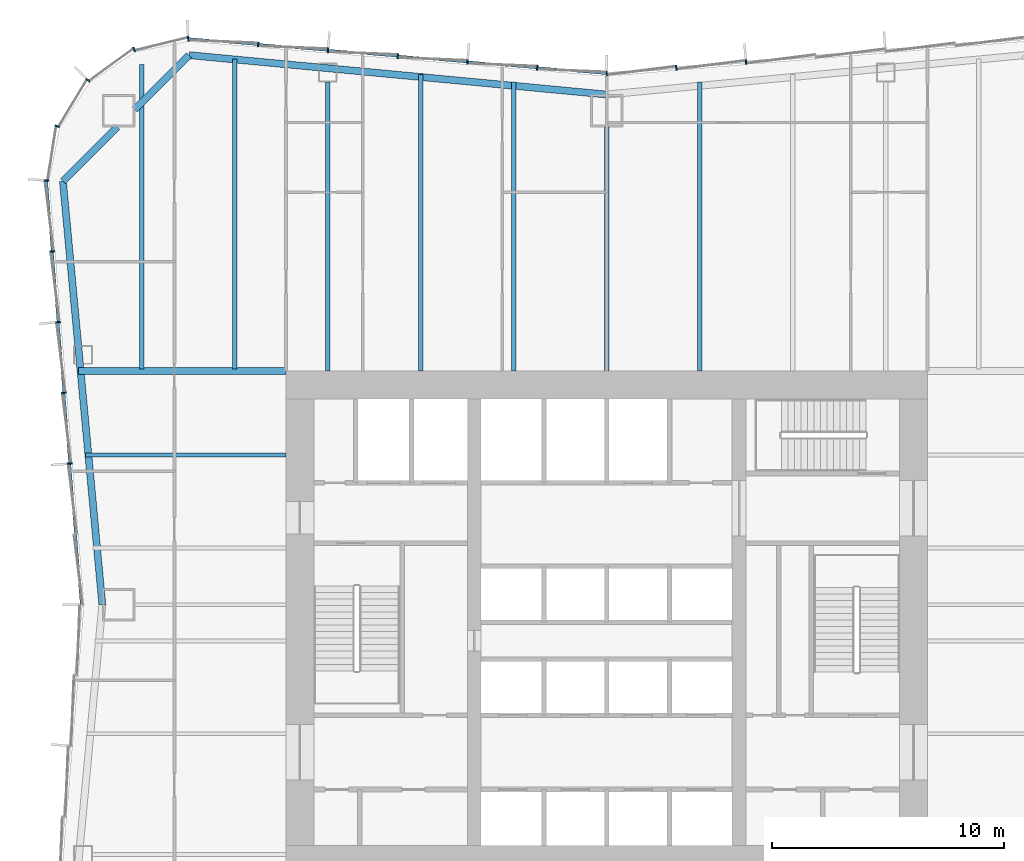
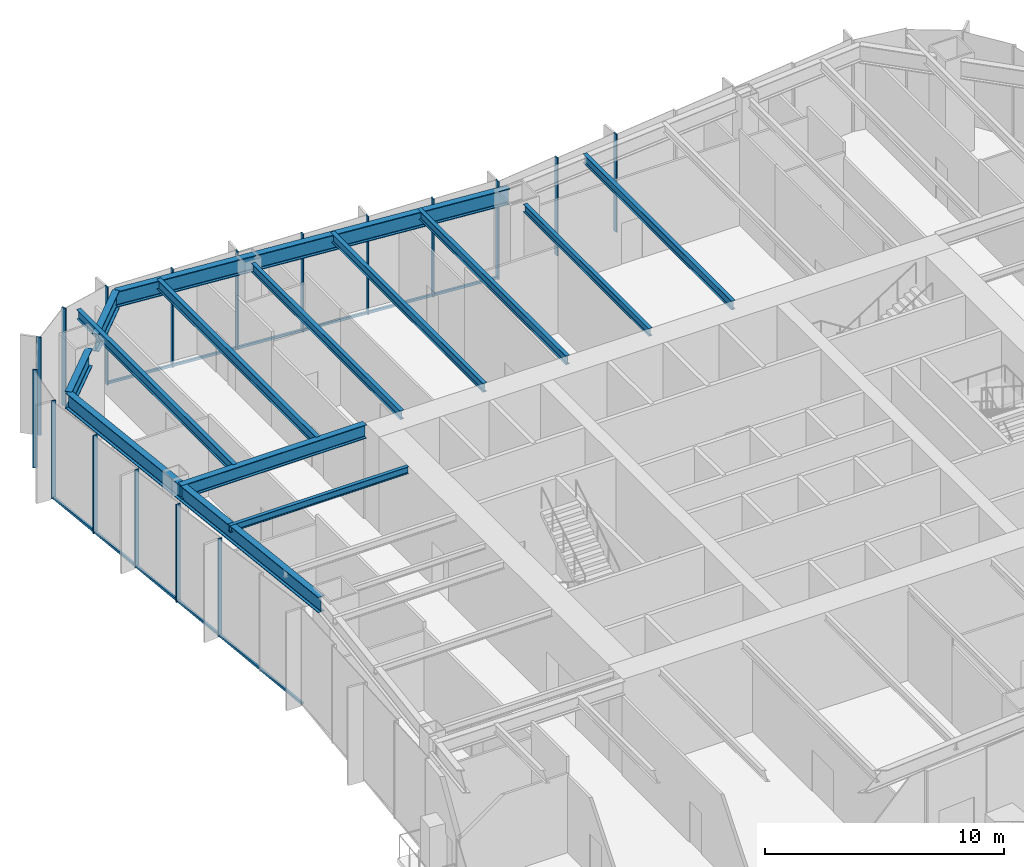
# One storey, part 5 of 15: 19 members, 13 beams, 3 elements without a shape of their own.
"""IFC4 building model written with IfcOpenShell, lengths in metres."""

from ifc_helpers import new_model, si_unit, direction, frame, origin, origin_2d, place, context, subcontext, project, spatial, rectangle, i_section, extrude, material, material_profile, profile_set, type_object, element, aggregate, save


model = new_model("IFC4")

# Units and contexts
model_context = context("Model", 3, precision=1e-05, world=origin(), true_north=direction((0.0, 1.0)))
body_context = subcontext(model_context, "Body", "Model", "MODEL_VIEW")
ifc_project = project(units=[si_unit("LENGTHUNIT", "METRE"), si_unit("AREAUNIT", "SQUARE_METRE"), si_unit("VOLUMEUNIT", "CUBIC_METRE"), si_unit("PLANEANGLEUNIT", "RADIAN"), si_unit("MASSUNIT", "GRAM", prefix="KILO")], contexts=[model_context])

# Site, building, storey
site_placement = place(None, origin())
site = spatial("IfcSite", under=ifc_project, at=site_placement, CompositionType="ELEMENT")
building_placement = place(site_placement, origin())
building = spatial("IfcBuilding", under=site, at=building_placement, Name="Verdant Reach Tower", CompositionType="ELEMENT")
storey_placement = place(building_placement, frame((0.0, 0.0, 65.0)))
storey = spatial("IfcBuildingStorey", under=building, at=storey_placement, Name="L14", CompositionType="ELEMENT", Elevation=65.0)

# Curtain wall, members
ifc_material_1 = material(Name="Anodised aluminium", Category="aluminium")
curtain_wall_type = type_object("IfcCurtainWallType", Name="EN-CW SYSTEM Z1", PredefinedType="NOTDEFINED", material=ifc_material_1)
curtain_wall_1_placement = place(storey_placement, origin())
curtain_wall_1 = element("IfcCurtainWall", 1, at=curtain_wall_1_placement, inside=storey, type_object=curtain_wall_type, Name="Curtain wall north, L14", PredefinedType="NOTDEFINED")
ifc_material_profile_1 = material_profile(ifc_material_1, rectangle(XDim=0.2060546875, YDim=0.06201171875, at=origin_2d()), Name="Mullion 62x206")
ifc_profile_set_1 = profile_set([ifc_material_profile_1], Name="Anodised aluminium")
member_type_1 = type_object("IfcMemberType", Name="EN-MULLION Z1", PredefinedType="MULLION", material=ifc_profile_set_1)
member_1_placement = place(storey_placement, frame((5.991455078125, 52.1025390625, -0.35009765625), z_axis=(0.0, 0.0, 1.0), x_axis=(-0.083045479859, 0.996545758244, 0.0)))
member_1 = element("IfcMember", 2, at=member_1_placement, type_object=member_type_1, Name="Mullion north face part 1 5, L14", PredefinedType="MULLION", context=body_context, shape_type="SweptSolid", body=[
    extrude(rectangle(XDim=0.2060546875, YDim=0.06201171875, at=origin_2d()), origin(), (0.0, 0.0, 1.0), 5.0),
])
member_2_placement = place(storey_placement, frame((2.991455078125, 51.8525390625, -0.35009765625), z_axis=(0.0, 0.0, 1.0), x_axis=(-0.083045479859, 0.996545758244, 0.0)))
member_2 = element("IfcMember", 3, at=member_2_placement, type_object=member_type_1, Name="Mullion north face part 1 6, L14", PredefinedType="MULLION", context=body_context, shape_type="SweptSolid", body=[
    extrude(rectangle(XDim=0.2060546875, YDim=0.06201171875, at=origin_2d()), origin(), (0.0, 0.0, 1.0), 5.0),
])
member_3_placement = place(storey_placement, frame((0.0, 51.60302734375, -0.35009765625), z_axis=(0.0, 0.0, 1.0), x_axis=(0.0, 1.0, 0.0)))
member_3 = element("IfcMember", 4, at=member_3_placement, type_object=member_type_1, Name="Mullion north face part 2 1, L14", PredefinedType="MULLION", context=body_context, shape_type="SweptSolid", body=[
    extrude(rectangle(XDim=0.2060546875, YDim=0.06201171875, at=origin_2d()), origin(), (0.0, 0.0, 1.0), 5.0),
])
member_4_placement = place(storey_placement, frame((-2.991455078125, 51.8525390625, -0.35009765625), z_axis=(0.0, 0.0, 1.0), x_axis=(0.083045479859, 0.996545758244, 0.0)))
member_4 = element("IfcMember", 5, at=member_4_placement, type_object=member_type_1, Name="Mullion north face part 2 2, L14", PredefinedType="MULLION", context=body_context, shape_type="SweptSolid", body=[
    extrude(rectangle(XDim=0.2060546875, YDim=0.06201171875, at=origin_2d()), origin(), (0.0, 0.0, 1.0), 5.0),
])
member_5_placement = place(storey_placement, frame((-5.991455078125, 52.1025390625, -0.35009765625), z_axis=(0.0, 0.0, 1.0), x_axis=(0.083045479859, 0.996545758244, 0.0)))
member_5 = element("IfcMember", 6, at=member_5_placement, type_object=member_type_1, Name="Mullion north face part 2 3, L14", PredefinedType="MULLION", context=body_context, shape_type="SweptSolid", body=[
    extrude(rectangle(XDim=0.2060546875, YDim=0.06201171875, at=origin_2d()), origin(), (0.0, 0.0, 1.0), 5.0),
])
member_6_placement = place(storey_placement, frame((-8.991455078125, 52.3525390625, -0.35009765625), z_axis=(0.0, 0.0, 1.0), x_axis=(0.083045479859, 0.996545758244, 0.0)))
member_6 = element("IfcMember", 7, at=member_6_placement, type_object=member_type_1, Name="Mullion north face part 2 4, L14", PredefinedType="MULLION", context=body_context, shape_type="SweptSolid", body=[
    extrude(rectangle(XDim=0.2060546875, YDim=0.06201171875, at=origin_2d()), origin(), (0.0, 0.0, 1.0), 5.0),
])
member_7_placement = place(storey_placement, frame((-11.991455078125, 52.6025390625, -0.35009765625), z_axis=(0.0, 0.0, 1.0), x_axis=(0.083045479859, 0.996545758244, 0.0)))
member_7 = element("IfcMember", 8, at=member_7_placement, type_object=member_type_1, Name="Mullion north face part 2 5, L14", PredefinedType="MULLION", context=body_context, shape_type="SweptSolid", body=[
    extrude(rectangle(XDim=0.2060546875, YDim=0.06201171875, at=origin_2d()), origin(), (0.0, 0.0, 1.0), 5.0),
])
member_8_placement = place(storey_placement, frame((-14.991455078125, 52.8525390625, -0.35009765625), z_axis=(0.0, 0.0, 1.0), x_axis=(0.083045479859, 0.996545758244, 0.0)))
member_8 = element("IfcMember", 9, at=member_8_placement, type_object=member_type_1, Name="Mullion north face part 2 6, L14", PredefinedType="MULLION", context=body_context, shape_type="SweptSolid", body=[
    extrude(rectangle(XDim=0.2060546875, YDim=0.06201171875, at=origin_2d()), origin(), (0.0, 0.0, 1.0), 5.0),
])

curtain_wall_2_placement = place(storey_placement, origin())
curtain_wall_2 = element("IfcCurtainWall", 10, at=curtain_wall_2_placement, inside=storey, type_object=curtain_wall_type, Name="Curtain wall north-west corner, L14", PredefinedType="NOTDEFINED")
member_9_placement = place(storey_placement, frame((-18.005859375, 53.102783203125, -0.35009765625), z_axis=(0.0, 0.0, 1.0), x_axis=(-0.056569187765, 0.998398681387, 0.0)))
member_9 = element("IfcMember", 11, at=member_9_placement, type_object=member_type_1, Name="Mullion north-west corner 1, L14", PredefinedType="MULLION", context=body_context, shape_type="SweptSolid", body=[
    extrude(rectangle(XDim=0.2060546875, YDim=0.06201171875, at=origin_2d()), origin(), (0.0, 0.0, 1.0), 5.0),
])
member_10_placement = place(storey_placement, frame((-20.33544921875, 52.638427734375, -0.35009765625), z_axis=(0.0, 0.0, 1.0), x_axis=(-0.382693853776, 0.923875215753, 0.0)))
member_10 = element("IfcMember", 12, at=member_10_placement, type_object=member_type_1, Name="Mullion north-west corner 2, L14", PredefinedType="MULLION", context=body_context, shape_type="SweptSolid", body=[
    extrude(rectangle(XDim=0.2060546875, YDim=0.06201171875, at=origin_2d()), origin(), (0.0, 0.0, 1.0), 5.0),
])
member_11_placement = place(storey_placement, frame((-22.3154296875, 51.3154296875, -0.35009765625), z_axis=(0.0, 0.0, 1.0), x_axis=(-0.707106781187, 0.707106781187, 0.0)))
member_11 = element("IfcMember", 13, at=member_11_placement, type_object=member_type_1, Name="Mullion north-west corner 3, L14", PredefinedType="MULLION", context=body_context, shape_type="SweptSolid", body=[
    extrude(rectangle(XDim=0.2060546875, YDim=0.06201171875, at=origin_2d()), origin(), (0.0, 0.0, 1.0), 5.0),
])
member_12_placement = place(storey_placement, frame((-23.638427734375, 49.33544921875, -0.35009765625), z_axis=(0.0, 0.0, 1.0), x_axis=(-0.923875215753, 0.382693853776, 0.0)))
member_12 = element("IfcMember", 14, at=member_12_placement, type_object=member_type_1, Name="Mullion north-west corner 4, L14", PredefinedType="MULLION", context=body_context, shape_type="SweptSolid", body=[
    extrude(rectangle(XDim=0.2060546875, YDim=0.06201171875, at=origin_2d()), origin(), (0.0, 0.0, 1.0), 5.0),
])
aggregate(curtain_wall_2, [member_9, member_10, member_11, member_12])

curtain_wall_3_placement = place(storey_placement, origin())
curtain_wall_3 = element("IfcCurtainWall", 15, at=curtain_wall_3_placement, inside=storey, type_object=curtain_wall_type, Name="Curtain wall west, L14", PredefinedType="NOTDEFINED")
member_13_placement = place(storey_placement, frame((-24.102783203125, 47.005859375, -0.35009765625), z_axis=(0.0, 0.0, 1.0), x_axis=(-0.998366452275, 0.057135164055, 0.0)))
member_13 = element("IfcMember", 16, at=member_13_placement, type_object=member_type_1, Name="Mullion west face part 1 1, L14", PredefinedType="MULLION", context=body_context, shape_type="SweptSolid", body=[
    extrude(rectangle(XDim=0.2060546875, YDim=0.06201171875, at=origin_2d()), origin(), (0.0, 0.0, 1.0), 5.0),
])
member_14_placement = place(storey_placement, frame((-23.8525390625, 43.949951171875, -0.35009765625), z_axis=(0.0, 0.0, 1.0), x_axis=(-0.996639273542, -0.081915556724, 0.0)))
member_14 = element("IfcMember", 17, at=member_14_placement, type_object=member_type_1, Name="Mullion west face part 1 2, L14", PredefinedType="MULLION", context=body_context, shape_type="SweptSolid", body=[
    extrude(rectangle(XDim=0.2060546875, YDim=0.06201171875, at=origin_2d()), origin(), (0.0, 0.0, 1.0), 5.0),
])
member_15_placement = place(storey_placement, frame((-23.6025390625, 40.908203125, -0.35009765625), z_axis=(0.0, 0.0, 1.0), x_axis=(-0.996639273542, -0.081915556724, 0.0)))
member_15 = element("IfcMember", 18, at=member_15_placement, type_object=member_type_1, Name="Mullion west face part 1 3, L14", PredefinedType="MULLION", context=body_context, shape_type="SweptSolid", body=[
    extrude(rectangle(XDim=0.2060546875, YDim=0.06201171875, at=origin_2d()), origin(), (0.0, 0.0, 1.0), 5.0),
])
member_16_placement = place(storey_placement, frame((-23.3525390625, 37.866455078125, -0.35009765625), z_axis=(0.0, 0.0, 1.0), x_axis=(-0.996639273542, -0.081915556724, 0.0)))
member_16 = element("IfcMember", 19, at=member_16_placement, type_object=member_type_1, Name="Mullion west face part 1 4, L14", PredefinedType="MULLION", context=body_context, shape_type="SweptSolid", body=[
    extrude(rectangle(XDim=0.2060546875, YDim=0.06201171875, at=origin_2d()), origin(), (0.0, 0.0, 1.0), 5.0),
])
member_17_placement = place(storey_placement, frame((-23.1025390625, 34.824951171875, -0.35009765625), z_axis=(0.0, 0.0, 1.0), x_axis=(-0.996639273542, -0.081915556724, 0.0)))
member_17 = element("IfcMember", 20, at=member_17_placement, type_object=member_type_1, Name="Mullion west face part 1 5, L14", PredefinedType="MULLION", context=body_context, shape_type="SweptSolid", body=[
    extrude(rectangle(XDim=0.2060546875, YDim=0.06201171875, at=origin_2d()), origin(), (0.0, 0.0, 1.0), 5.0),
])

# Member
ifc_material_profile_2 = material_profile(ifc_material_1, rectangle(XDim=0.10009765625, YDim=0.1220703125, at=origin_2d()), Name="Transom 122x100")
ifc_profile_set_2 = profile_set([ifc_material_profile_2], Name="Anodised aluminium")
member_type_2 = type_object("IfcMemberType", Name="EN-TRANSOM Z1", PredefinedType="USERDEFINED", material=ifc_profile_set_2)
member_18_placement = place(storey_placement, frame((-0.031005859375, 51.60546875, -0.2890625), z_axis=(-0.996547815143, 0.083020793384, 0.0), x_axis=(-0.083020793384, -0.996547815143, 0.0)))
member_18 = element("IfcMember", 21, at=member_18_placement, type_object=member_type_2, Name="Transom north face part 2 1.1, L14", ObjectType="TRANSOM", PredefinedType="USERDEFINED", context=body_context, shape_type="SweptSolid", body=[
    extrude(rectangle(XDim=0.10009765625, YDim=0.1220703125, at=origin_2d()), origin(), (0.0, 0.0, 1.0), 18.006103515625),
])

aggregate(curtain_wall_1, [member_1, member_2, member_3, member_4, member_5, member_6, member_7, member_8, member_18])

member_19_placement = place(storey_placement, frame((-24.100341796875, 46.97509765625, -0.2890625), z_axis=(0.081886623329, -0.996641651207, 0.0), x_axis=(0.996641651207, 0.081886623329, 0.0)))
member_19 = element("IfcMember", 22, at=member_19_placement, type_object=member_type_2, Name="Transom west face part 1 1.1, L14", ObjectType="TRANSOM", PredefinedType="USERDEFINED", context=body_context, shape_type="SweptSolid", body=[
    extrude(rectangle(XDim=0.10009765625, YDim=0.1220703125, at=origin_2d()), origin(), (0.0, 0.0, 1.0), 18.25537109375),
])

aggregate(curtain_wall_3, [member_13, member_14, member_15, member_16, member_17, member_19])

# Beams
ifc_material_2 = material(Name="Steel S355", Category="steel")
ifc_material_profile_3 = material_profile(ifc_material_2, i_section(OverallWidth=0.300048828125, OverallDepth=0.699951171875, WebThickness=0.01708984375, FlangeThickness=0.031982421875, FilletRadius=0.027099609375, at=origin_2d()), Name="HEB 700")
ifc_profile_set_3 = profile_set([ifc_material_profile_3], Name="Steel S355")
beam_type_1 = type_object("IfcBeamType", Name="ST-BEAM-HEB700", PredefinedType="BEAM", material=ifc_profile_set_3)
beam_1_placement = place(storey_placement, frame((-13.800048828125, 38.800048828125, 4.52001953125), z_axis=(-1.0, 0.0, 0.0), x_axis=(0.0, -1.0, 0.0)))
element("IfcBeam", 23, at=beam_1_placement, inside=storey, type_object=beam_type_1, Name="Trimmer beam, L14", PredefinedType="BEAM", context=body_context, shape_type="SweptSolid", body=[
    extrude(i_section(OverallWidth=0.300048828125, OverallDepth=0.699951171875, WebThickness=0.01708984375, FlangeThickness=0.031982421875, FilletRadius=0.027099609375, at=origin_2d()), origin(), (0.0, 0.0, 1.0), 8.924072265625),
])
ifc_material_profile_4 = material_profile(ifc_material_2, i_section(OverallWidth=0.169921875, OverallDepth=0.360107421875, WebThickness=0.008056640625, FlangeThickness=0.0126953125, FilletRadius=0.01806640625, at=origin_2d()), Name="IPE 360")
ifc_profile_set_4 = profile_set([ifc_material_profile_4], Name="Steel S355")
beam_type_2 = type_object("IfcBeamType", Name="ST-JOIST-IPE360", PredefinedType="JOIST", material=ifc_profile_set_4)
beam_2_placement = place(storey_placement, frame((-13.800048828125, 35.199951171875, 4.68994140625), z_axis=(-1.0, 0.0, 0.0), x_axis=(0.0, -1.0, 0.0)))
element("IfcBeam", 24, at=beam_2_placement, inside=storey, type_object=beam_type_2, Name="Floor joist, L14", PredefinedType="JOIST", context=body_context, shape_type="SweptSolid", body=[
    extrude(i_section(OverallWidth=0.169921875, OverallDepth=0.360107421875, WebThickness=0.008056640625, FlangeThickness=0.0126953125, FilletRadius=0.01806640625, at=origin_2d()), origin(), (0.0, 0.0, 1.0), 8.6279296875),
])
ifc_material_profile_5 = material_profile(ifc_material_2, i_section(OverallWidth=0.179931640625, OverallDepth=0.39990234375, WebThickness=0.008544921875, FlangeThickness=0.013427734375, FilletRadius=0.02099609375, at=origin_2d()), Name="IPE 400")
ifc_profile_set_5 = profile_set([ifc_material_profile_5], Name="Steel S355")
beam_type_3 = type_object("IfcBeamType", Name="ST-JOIST-IPE400", PredefinedType="JOIST", material=ifc_profile_set_5)
beam_3_placement = place(storey_placement, frame((0.0, 38.800048828125, 4.669921875), z_axis=(0.0, 1.0, 0.0), x_axis=(-1.0, 0.0, 0.0)))
element("IfcBeam", 25, at=beam_3_placement, inside=storey, type_object=beam_type_3, Name="Floor joist, L14", PredefinedType="JOIST", context=body_context, shape_type="SweptSolid", body=[
    extrude(i_section(OverallWidth=0.179931640625, OverallDepth=0.39990234375, WebThickness=0.008544921875, FlangeThickness=0.013427734375, FilletRadius=0.02099609375, at=origin_2d()), origin(), (0.0, 0.0, 1.0), 10.5),
])
ifc_material_profile_6 = material_profile(ifc_material_2, i_section(OverallWidth=0.18994140625, OverallDepth=0.449951171875, WebThickness=0.009521484375, FlangeThickness=0.0146484375, FilletRadius=0.02099609375, at=origin_2d()), Name="IPE 450")
ifc_profile_set_6 = profile_set([ifc_material_profile_6], Name="Steel S355")
beam_type_4 = type_object("IfcBeamType", Name="ST-JOIST-IPE450", PredefinedType="JOIST", material=ifc_profile_set_6)
beam_4_placement = place(storey_placement, frame((-12.0, 38.800048828125, 4.64501953125), z_axis=(0.0, 1.0, 0.0), x_axis=(-1.0, 0.0, 0.0)))
element("IfcBeam", 26, at=beam_4_placement, inside=storey, type_object=beam_type_4, Name="Floor joist, L14", PredefinedType="JOIST", context=body_context, shape_type="SweptSolid", body=[
    extrude(i_section(OverallWidth=0.18994140625, OverallDepth=0.449951171875, WebThickness=0.009521484375, FlangeThickness=0.0146484375, FilletRadius=0.02099609375, at=origin_2d()), origin(), (0.0, 0.0, 1.0), 12.449951171875),
])
beam_5_placement = place(storey_placement, frame((-8.0, 38.800048828125, 4.64501953125), z_axis=(0.0, 1.0, 0.0), x_axis=(-1.0, 0.0, 0.0)))
element("IfcBeam", 27, at=beam_5_placement, inside=storey, type_object=beam_type_4, Name="Floor joist, L14", PredefinedType="JOIST", context=body_context, shape_type="SweptSolid", body=[
    extrude(i_section(OverallWidth=0.18994140625, OverallDepth=0.449951171875, WebThickness=0.009521484375, FlangeThickness=0.0146484375, FilletRadius=0.02099609375, at=origin_2d()), origin(), (0.0, 0.0, 1.0), 12.7646484375),
])
for number, where, z_axis, x_axis, name in (
    (28, (-4.0, 38.800048828125, 4.64501953125), (0.0, 1.0, 0.0), (-1.0, 0.0, 0.0), "Floor joist, L14"),
    (29, (4.0, 38.800048828125, 4.64501953125), (0.0, 1.0, 0.0), (-1.0, 0.0, 0.0), "Floor joist, L14"),
):
    element("IfcBeam", number, at=place(storey_placement, frame(where, z_axis=z_axis, x_axis=x_axis)), inside=storey, type_object=beam_type_4, Name=name, PredefinedType="JOIST", context=body_context, shape_type="SweptSolid", body=[
        extrude(i_section(OverallWidth=0.18994140625, OverallDepth=0.449951171875, WebThickness=0.009521484375, FlangeThickness=0.0146484375, FilletRadius=0.02099609375, at=origin_2d()), origin(), (0.0, 0.0, 1.0), 12.43115234375),
    ])
ifc_material_profile_7 = material_profile(ifc_material_2, i_section(OverallWidth=0.199951171875, OverallDepth=0.5, WebThickness=0.01025390625, FlangeThickness=0.01611328125, FilletRadius=0.02099609375, at=origin_2d()), Name="IPE 500")
ifc_profile_set_7 = profile_set([ifc_material_profile_7], Name="Steel S355")
beam_type_5 = type_object("IfcBeamType", Name="ST-JOIST-IPE500", PredefinedType="JOIST", material=ifc_profile_set_7)
beam_6_placement = place(storey_placement, frame((-20.0, 38.89990234375, 4.6201171875), z_axis=(0.0, 1.0, 0.0), x_axis=(-1.0, 0.0, 0.0)))
element("IfcBeam", 30, at=beam_6_placement, inside=storey, type_object=beam_type_5, Name="Floor joist, L14", PredefinedType="JOIST", context=body_context, shape_type="SweptSolid", body=[
    extrude(i_section(OverallWidth=0.199951171875, OverallDepth=0.5, WebThickness=0.01025390625, FlangeThickness=0.01611328125, FilletRadius=0.02099609375, at=origin_2d()), origin(), (0.0, 0.0, 1.0), 13.090576171875),
])
beam_7_placement = place(storey_placement, frame((-16.0, 38.89990234375, 4.6201171875), z_axis=(0.0, 1.0, 0.0), x_axis=(-1.0, 0.0, 0.0)))
element("IfcBeam", 31, at=beam_7_placement, inside=storey, type_object=beam_type_5, Name="Floor joist, L14", PredefinedType="JOIST", context=body_context, shape_type="SweptSolid", body=[
    extrude(i_section(OverallWidth=0.199951171875, OverallDepth=0.5, WebThickness=0.01025390625, FlangeThickness=0.01611328125, FilletRadius=0.02099609375, at=origin_2d()), origin(), (0.0, 0.0, 1.0), 13.331298828125),
])
ifc_material_profile_8 = material_profile(ifc_material_2, i_section(OverallWidth=0.300048828125, OverallDepth=0.800048828125, WebThickness=0.017578125, FlangeThickness=0.032958984375, FilletRadius=0.030029296875, at=origin_2d()), Name="HEB 800")
ifc_profile_set_8 = profile_set([ifc_material_profile_8], Name="Steel S355")
beam_type_6 = type_object("IfcBeamType", Name="ST-SPANDREL-HEB800", PredefinedType="SPANDREL", material=ifc_profile_set_8)
beam_8_placement = place(storey_placement, frame((-21.699951171875, 28.75, 4.469970703125), z_axis=(-0.092656907618, 0.995698095544, 0.0), x_axis=(-0.995698095544, -0.092656907618, 0.0)))
element("IfcBeam", 32, at=beam_8_placement, inside=storey, type_object=beam_type_6, Name="Edge beam, L14", PredefinedType="SPANDREL", context=body_context, shape_type="SweptSolid", body=[
    extrude(i_section(OverallWidth=0.300048828125, OverallDepth=0.800048828125, WebThickness=0.017578125, FlangeThickness=0.032958984375, FilletRadius=0.030029296875, at=origin_2d()), origin(), (0.0, 0.0, 1.0), 18.2939453125),
])
beam_9_placement = place(storey_placement, frame((-17.9658203125, 52.39501953125, 4.469970703125), z_axis=(0.995578571765, -0.093932462137, 0.0), x_axis=(0.093932462137, 0.995578571765, 0.0)))
element("IfcBeam", 33, at=beam_9_placement, inside=storey, type_object=beam_type_6, Name="Edge beam, L14", PredefinedType="SPANDREL", context=body_context, shape_type="SweptSolid", body=[
    extrude(i_section(OverallWidth=0.300048828125, OverallDepth=0.800048828125, WebThickness=0.017578125, FlangeThickness=0.032958984375, FilletRadius=0.030029296875, at=origin_2d()), origin(), (0.0, 0.0, 1.0), 18.045654296875),
])
ifc_material_profile_9 = material_profile(ifc_material_2, i_section(OverallWidth=0.302001953125, OverallDepth=0.909912109375, WebThickness=0.02099609375, FlangeThickness=0.0400390625, FilletRadius=0.030029296875, at=origin_2d()), Name="HEM 900")
ifc_profile_set_9 = profile_set([ifc_material_profile_9], Name="Steel S355")
beam_type_7 = type_object("IfcBeamType", Name="ST-SPANDREL-HEM900", PredefinedType="SPANDREL", material=ifc_profile_set_9)
beam_10_placement = place(storey_placement, frame((-23.39501953125, 46.96533203125, 4.4150390625), z_axis=(0.707069807316, 0.707143753123, 0.0), x_axis=(-0.707143753123, 0.707069807316, 0.0)))
element("IfcBeam", 34, at=beam_10_placement, inside=storey, type_object=beam_type_7, Name="Edge beam, L14", PredefinedType="SPANDREL", context=body_context, shape_type="SweptSolid", body=[
    extrude(i_section(OverallWidth=0.302001953125, OverallDepth=0.909912109375, WebThickness=0.02099609375, FlangeThickness=0.0400390625, FilletRadius=0.030029296875, at=origin_2d()), origin(), (0.0, 0.0, 1.0), 3.301513671875),
])
beam_11_placement = place(storey_placement, frame((-20.300048828125, 50.060791015625, 4.4150390625), z_axis=(0.707106781187, 0.707106781187, 0.0), x_axis=(-0.707106781187, 0.707106781187, 0.0)))
element("IfcBeam", 35, at=beam_11_placement, inside=storey, type_object=beam_type_7, Name="Edge beam, L14", PredefinedType="SPANDREL", context=body_context, shape_type="SweptSolid", body=[
    extrude(i_section(OverallWidth=0.302001953125, OverallDepth=0.909912109375, WebThickness=0.02099609375, FlangeThickness=0.0400390625, FilletRadius=0.030029296875, at=origin_2d()), origin(), (0.0, 0.0, 1.0), 3.301025390625),
])

save(model, "model.ifc")
